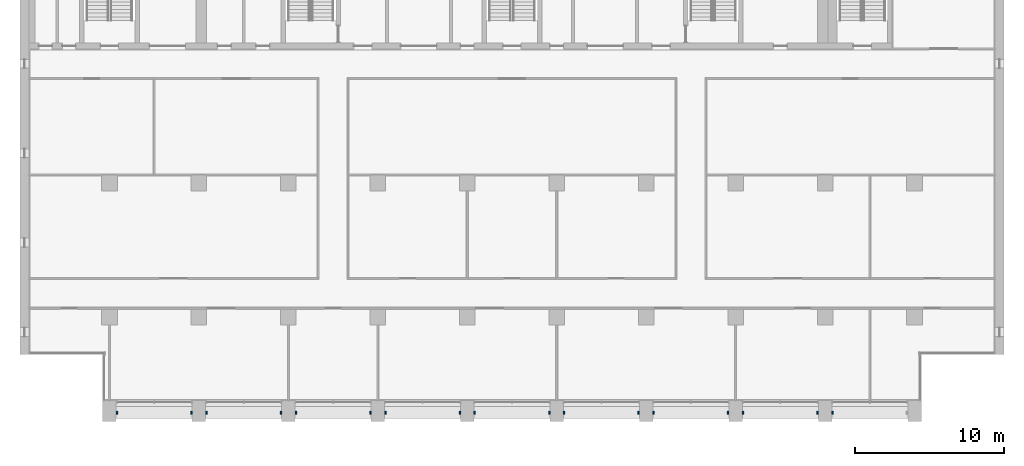
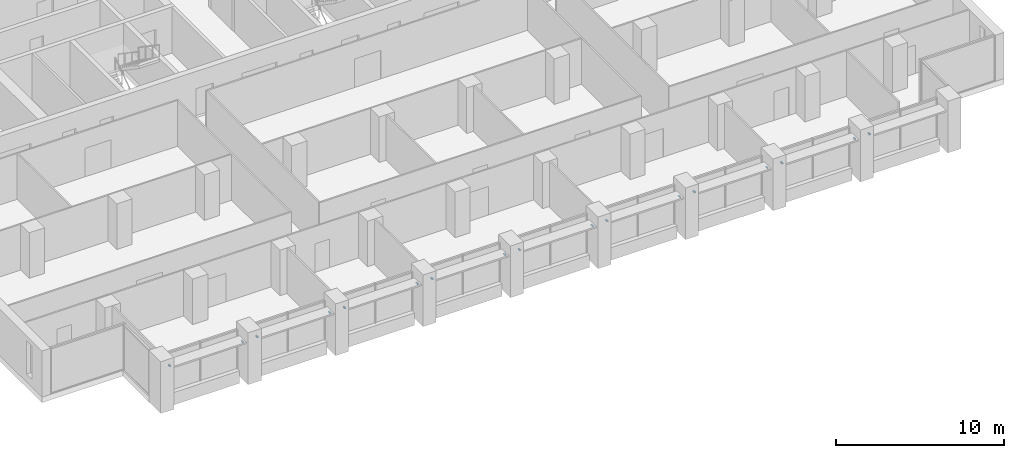
# One storey, part 14 of 17: 17 discrete accessories.
"""IFC4 building model written with IfcOpenShell, lengths in metres."""

from ifc_helpers import new_model, si_unit, direction, frame, origin, origin_2d, place, context, subcontext, project, spatial, rectangle, extrude, element, save


model = new_model("IFC4")

# Units and contexts
model_context = context("Model", 3, precision=1e-05, world=origin(), true_north=direction((0.0, 1.0)))
body_context = subcontext(model_context, "Body", "Model", "MODEL_VIEW")
ifc_project = project(units=[si_unit("LENGTHUNIT", "METRE"), si_unit("AREAUNIT", "SQUARE_METRE"), si_unit("VOLUMEUNIT", "CUBIC_METRE"), si_unit("PLANEANGLEUNIT", "RADIAN"), si_unit("MASSUNIT", "GRAM", prefix="KILO")], contexts=[model_context])

# Site, building, storey
site_placement = place(None, origin())
site = spatial("IfcSite", under=ifc_project, at=site_placement, CompositionType="ELEMENT")
building_placement = place(site_placement, origin())
building = spatial("IfcBuilding", under=site, at=building_placement, Name="Calvaro Tower", CompositionType="ELEMENT")
storey_placement = place(building_placement, frame((0.0, 0.0, 204.25)))
storey = spatial("IfcBuildingStorey", under=building, at=storey_placement, Name="L51", CompositionType="ELEMENT", Elevation=204.25)

# Discrete accessories
for number, where, z_axis, x_axis, name in (
    (1, (12.5, 3.60009765625, 2.349853515625), (0.0, 0.0, 1.0), (1.0, 0.0, 0.0), "Brise-soleil bracket"),
    (2, (17.5, 3.60009765625, 2.349853515625), (0.0, 0.0, 1.0), (1.0, 0.0, 0.0), "Brise-soleil bracket"),
    (3, (18.5, 3.60009765625, 2.349853515625), (0.0, 0.0, 1.0), (1.0, 0.0, 0.0), "Brise-soleil bracket"),
    (4, (23.5, 3.60009765625, 2.349853515625), (0.0, 0.0, 1.0), (1.0, 0.0, 0.0), "Brise-soleil bracket"),
    (5, (24.5, 3.60009765625, 2.349853515625), (0.0, 0.0, 1.0), (1.0, 0.0, 0.0), "Brise-soleil bracket"),
    (6, (29.5, 3.60009765625, 2.349853515625), (0.0, 0.0, 1.0), (1.0, 0.0, 0.0), "Brise-soleil bracket"),
    (7, (30.5, 3.60009765625, 2.349853515625), (0.0, 0.0, 1.0), (1.0, 0.0, 0.0), "Brise-soleil bracket"),
    (8, (35.5, 3.60009765625, 2.349853515625), (0.0, 0.0, 1.0), (1.0, 0.0, 0.0), "Brise-soleil bracket"),
    (9, (36.5, 3.60009765625, 2.349853515625), (0.0, 0.0, 1.0), (1.0, 0.0, 0.0), "Brise-soleil bracket"),
    (10, (41.5, 3.60009765625, 2.349853515625), (0.0, 0.0, 1.0), (1.0, 0.0, 0.0), "Brise-soleil bracket"),
    (11, (42.5, 3.60009765625, 2.349853515625), (0.0, 0.0, 1.0), (1.0, 0.0, 0.0), "Brise-soleil bracket"),
    (12, (47.5, 3.60009765625, 2.349853515625), (0.0, 0.0, 1.0), (1.0, 0.0, 0.0), "Brise-soleil bracket"),
    (13, (48.5, 3.60009765625, 2.349853515625), (0.0, 0.0, 1.0), (1.0, 0.0, 0.0), "Brise-soleil bracket"),
    (14, (53.5, 3.60009765625, 2.349853515625), (0.0, 0.0, 1.0), (1.0, 0.0, 0.0), "Brise-soleil bracket"),
    (15, (54.5, 3.60009765625, 2.349853515625), (0.0, 0.0, 1.0), (1.0, 0.0, 0.0), "Brise-soleil bracket"),
    (16, (59.5, 3.60009765625, 2.349853515625), (0.0, 0.0, 1.0), (1.0, 0.0, 0.0), "Brise-soleil bracket"),
    (17, (60.5, 3.60009765625, 2.349853515625), (0.0, 0.0, 1.0), (1.0, 0.0, 0.0), "Brise-soleil bracket"),
):
    element("IfcDiscreteAccessory", number, at=place(storey_placement, frame(where, z_axis=z_axis, x_axis=x_axis)), inside=storey, Name=name, PredefinedType="BRACKET", context=body_context, shape_type="SweptSolid", body=[
        extrude(rectangle(XDim=0.10009765625, YDim=0.199951171875, at=origin_2d()), origin(), (0.0, 0.0, 1.0), 0.10009765625),
    ])

save(model, "model.ifc")
